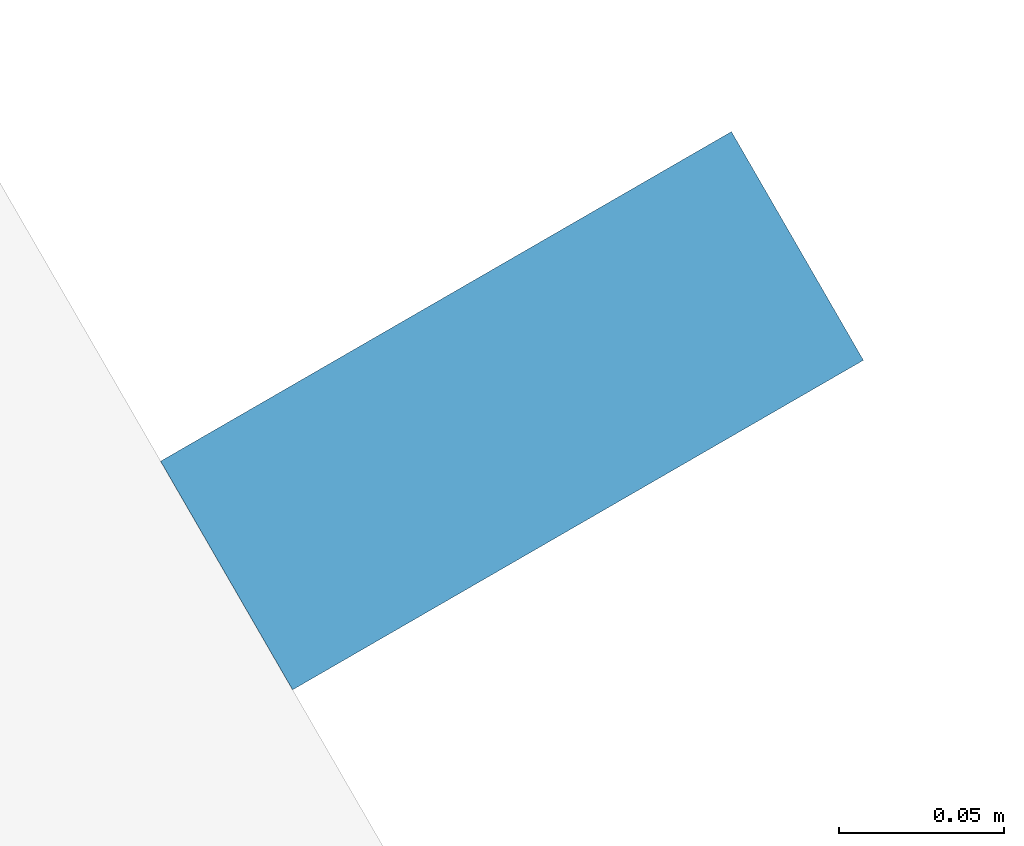
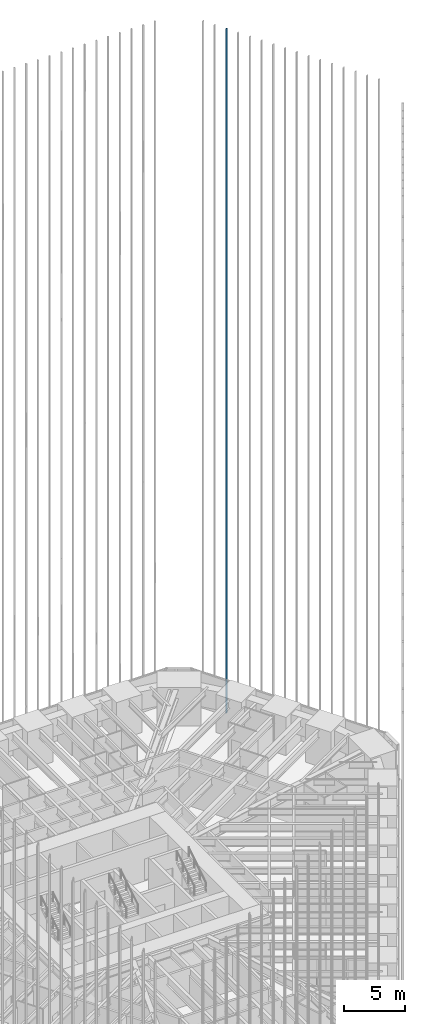
# One storey, part 241 of 256: 1 member, 1 element without a shape of its own.
"""IFC4 building model written with IfcOpenShell, lengths in metres."""

from ifc_helpers import new_model, si_unit, direction, frame, origin, origin_2d, place, context, subcontext, project, spatial, rectangle, extrude, material, material_profile, profile_set, type_object, element, aggregate, save


model = new_model("IFC4")

# Units and contexts
model_context = context("Model", 3, precision=1e-05, world=origin(), true_north=direction((0.0, 1.0)))
body_context = subcontext(model_context, "Body", "Model", "MODEL_VIEW")
ifc_project = project(units=[si_unit("LENGTHUNIT", "METRE"), si_unit("AREAUNIT", "SQUARE_METRE"), si_unit("VOLUMEUNIT", "CUBIC_METRE"), si_unit("PLANEANGLEUNIT", "RADIAN"), si_unit("MASSUNIT", "GRAM", prefix="KILO")], contexts=[model_context])

# Site, building, storey
site_placement = place(None, origin())
site = spatial("IfcSite", under=ifc_project, at=site_placement, CompositionType="ELEMENT")
building_placement = place(site_placement, origin())
building = spatial("IfcBuilding", under=site, at=building_placement, Name="Sandreach Pilgrim Tower", CompositionType="ELEMENT")
storey_placement = place(building_placement, frame((0.0, 0.0, 23.0)))
storey = spatial("IfcBuildingStorey", under=building, at=storey_placement, Name="L04", CompositionType="ELEMENT", Elevation=23.0)

# Curtain wall, member
ifc_material_1 = material(Name="Aluminium framed curtain wall", Category="aluminium")
curtain_wall_type = type_object("IfcCurtainWallType", Name="Hostel tower curtain wall", PredefinedType="NOTDEFINED", material=ifc_material_1)
curtain_wall_placement = place(storey_placement, origin())
curtain_wall = element("IfcCurtainWall", 1, at=curtain_wall_placement, inside=storey, type_object=curtain_wall_type, Name="CW-1 L04 NE", PredefinedType="NOTDEFINED")
ifc_material_2 = material(Name="Extruded terracotta on aluminium core", Category="masonry")
ifc_material_profile = material_profile(ifc_material_2, rectangle(XDim=0.080078125, YDim=0.199951171875, at=origin_2d()), Name="TBE 80X200")
ifc_profile_set = profile_set([ifc_material_profile], Name="Extruded terracotta on aluminium core")
member_type = type_object("IfcMemberType", Name="Terracotta baguette east", PredefinedType="USERDEFINED", material=ifc_profile_set)
member_placement = place(storey_placement, frame((23.29443359375, 20.474609375, 0.0), z_axis=(0.0, 0.0, 1.0), x_axis=(0.5, -0.866025403784, 0.0)))
member = element("IfcMember", 2, at=member_placement, type_object=member_type, Name="Baguette Z1 NE03", ObjectType="BAGUETTE", PredefinedType="USERDEFINED", context=body_context, shape_type="SweptSolid", body=[
    extrude(rectangle(XDim=0.080078125, YDim=0.199951171875, at=origin_2d()), origin(), (0.0, 0.0, 1.0), 68.239990234375),
])
aggregate(curtain_wall, [member])

save(model, "model.ifc")
